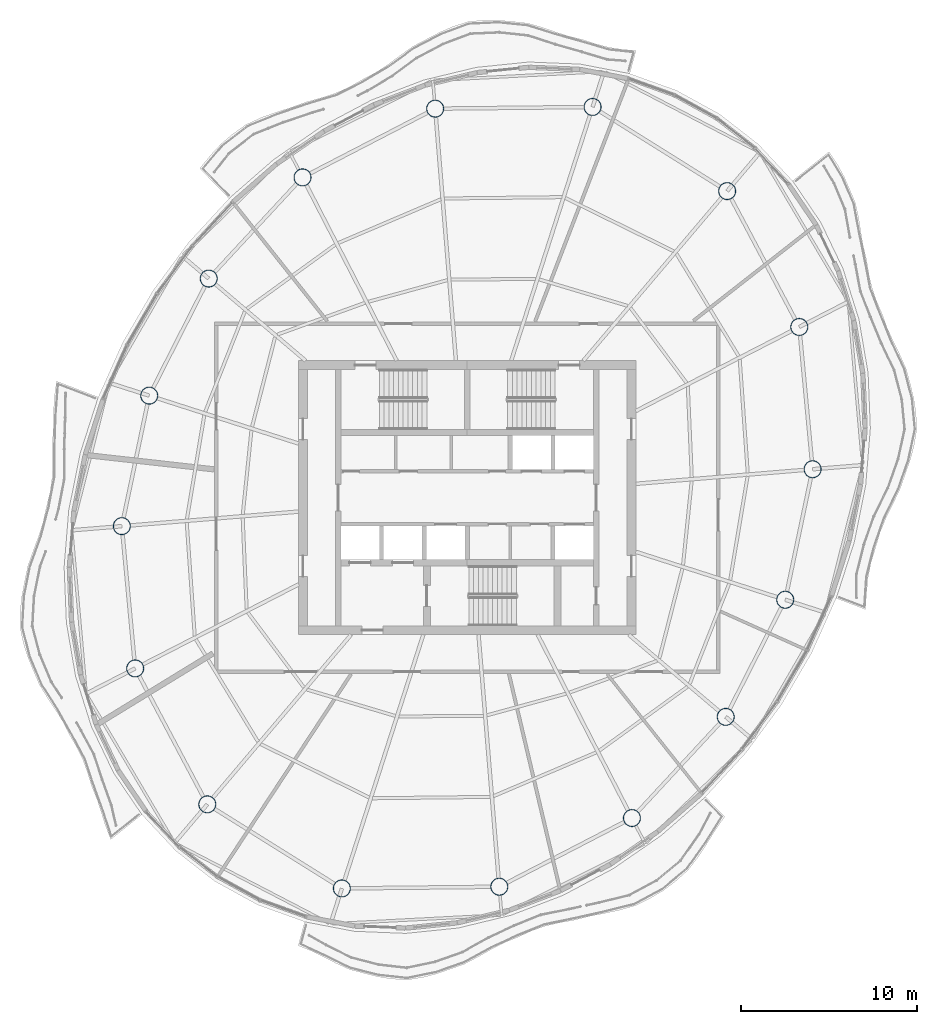
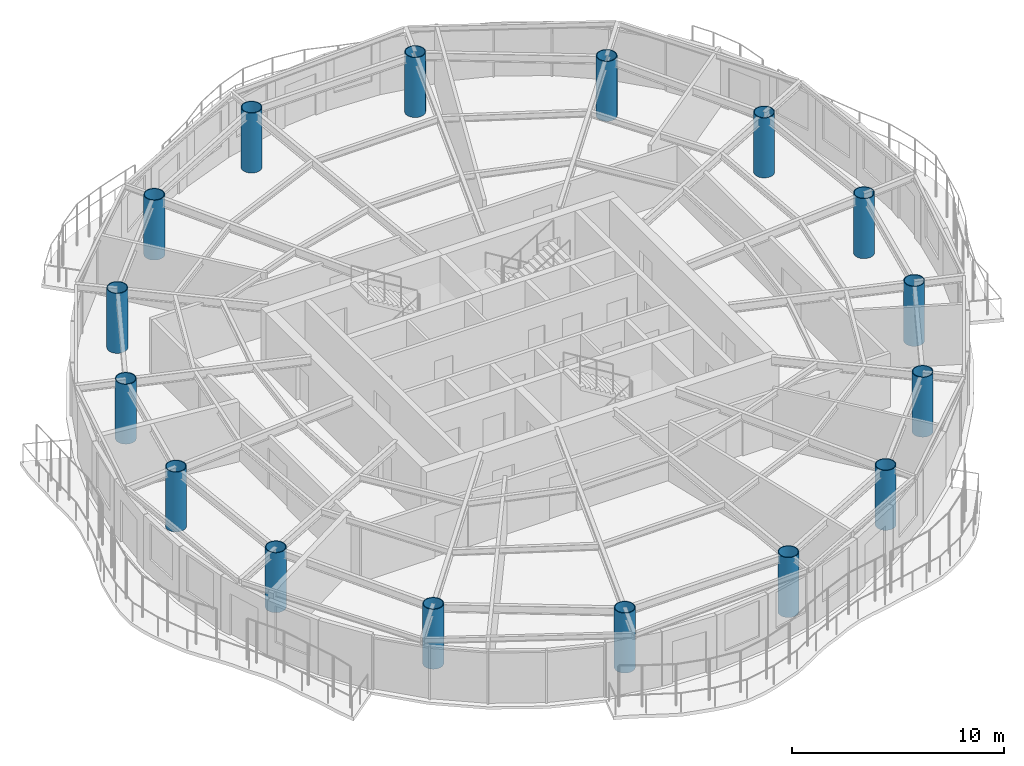
# One storey, part 1 of 15: 16 columns.
"""IFC4 building model written with IfcOpenShell, lengths in metres."""

from ifc_helpers import new_model, si_unit, direction, frame, origin, origin_2d, place, context, subcontext, project, spatial, hollow_circle, extrude, material, material_profile, profile_set, type_object, element, save


model = new_model("IFC4")

# Units and contexts
model_context = context("Model", 3, precision=1e-05, world=origin(), true_north=direction((0.0, 1.0)))
body_context = subcontext(model_context, "Body", "Model", "MODEL_VIEW")
ifc_project = project(units=[si_unit("LENGTHUNIT", "METRE"), si_unit("AREAUNIT", "SQUARE_METRE"), si_unit("VOLUMEUNIT", "CUBIC_METRE"), si_unit("PLANEANGLEUNIT", "RADIAN"), si_unit("MASSUNIT", "GRAM", prefix="KILO")], contexts=[model_context])

# Site, building, storey
site_placement = place(None, origin())
site = spatial("IfcSite", under=ifc_project, at=site_placement, CompositionType="ELEMENT")
building_placement = place(site_placement, origin())
building = spatial("IfcBuilding", under=site, at=building_placement, Name="Vermilion Reach Broadcast Tower", CompositionType="ELEMENT")
storey_placement = place(building_placement, frame((0.0, 0.0, 261.300048828125)))
storey = spatial("IfcBuildingStorey", under=building, at=storey_placement, Name="L64", CompositionType="ELEMENT", Elevation=261.300048828125)

# Columns
ifc_material = material(Name="Concrete C60 infill in steel S460NL tube", Category="concrete")
ifc_material_profile = material_profile(ifc_material, hollow_circle(Radius=0.5, WallThickness=0.0400390625, at=origin_2d()), Name="Concrete C60 infill in steel S460NL tube CFT 1000x40")
ifc_profile_set = profile_set([ifc_material_profile], Name="Concrete C60 infill in steel S460NL tube")
column_type = type_object("IfcColumnType", Name="MC5 CFT 1000x40", PredefinedType="COLUMN", material=ifc_profile_set)
for number, where, z_axis, x_axis, name in (
    (1, (1.138427734375, 22.2470703125, 0.0), (0.0, 0.0, 1.0), (1.0, 0.0, 0.0), "Mega-column MC5-01"),
    (2, (-7.824951171875, 22.1494140625, 0.0), (0.0, 0.0, 1.0), (1.0, 0.0, 0.0), "Mega-column MC5-02"),
    (3, (-15.376953125, 18.23779296875, 0.0), (0.0, 0.0, 1.0), (1.0, 0.0, 0.0), "Mega-column MC5-03"),
    (4, (-20.717529296875, 12.476806640625, 0.0), (0.0, 0.0, 1.0), (1.0, 0.0, 0.0), "Mega-column MC5-04"),
    (5, (-24.10595703125, 5.809814453125, 0.0), (0.0, 0.0, 1.0), (1.0, 0.0, 0.0), "Mega-column MC5-05"),
    (6, (-25.665771484375, -1.620361328125, 0.0), (0.0, 0.0, 1.0), (1.0, 0.0, 0.0), "Mega-column MC5-06"),
    (7, (-24.905517578125, -9.72021484375, 0.0), (0.0, 0.0, 1.0), (1.0, 0.0, 0.0), "Mega-column MC5-07"),
    (8, (-20.799560546875, -17.457275390625, 0.0), (0.0, 0.0, 1.0), (1.0, 0.0, 0.0), "Mega-column MC5-08"),
    (9, (-13.138427734375, -22.2470703125, 0.0), (0.0, 0.0, 1.0), (1.0, 0.0, 0.0), "Mega-column MC5-09"),
    (10, (-4.175048828125, -22.1494140625, 0.0), (0.0, 0.0, 1.0), (1.0, 0.0, 0.0), "Mega-column MC5-10"),
    (11, (3.376953125, -18.23779296875, 0.0), (0.0, 0.0, 1.0), (1.0, 0.0, 0.0), "Mega-column MC5-11"),
    (12, (8.717529296875, -12.476806640625, 0.0), (0.0, 0.0, 1.0), (1.0, 0.0, 0.0), "Mega-column MC5-12"),
    (13, (12.10595703125, -5.809814453125, 0.0), (0.0, 0.0, 1.0), (1.0, 0.0, 0.0), "Mega-column MC5-13"),
    (14, (13.665771484375, 1.620361328125, 0.0), (0.0, 0.0, 1.0), (1.0, 0.0, 0.0), "Mega-column MC5-14"),
    (15, (12.905517578125, 9.72021484375, 0.0), (0.0, 0.0, 1.0), (1.0, 0.0, 0.0), "Mega-column MC5-15"),
    (16, (8.799560546875, 17.457275390625, 0.0), (0.0, 0.0, 1.0), (1.0, 0.0, 0.0), "Mega-column MC5-16"),
):
    element("IfcColumn", number, at=place(storey_placement, frame(where, z_axis=z_axis, x_axis=x_axis)), inside=storey, type_object=column_type, Name=name, PredefinedType="COLUMN", context=body_context, shape_type="SweptSolid", body=[
        extrude(hollow_circle(Radius=0.5, WallThickness=0.0400390625, at=origin_2d()), origin(), (0.0, 0.0, 1.0), 3.449951171875),
    ])

save(model, "model.ifc")
